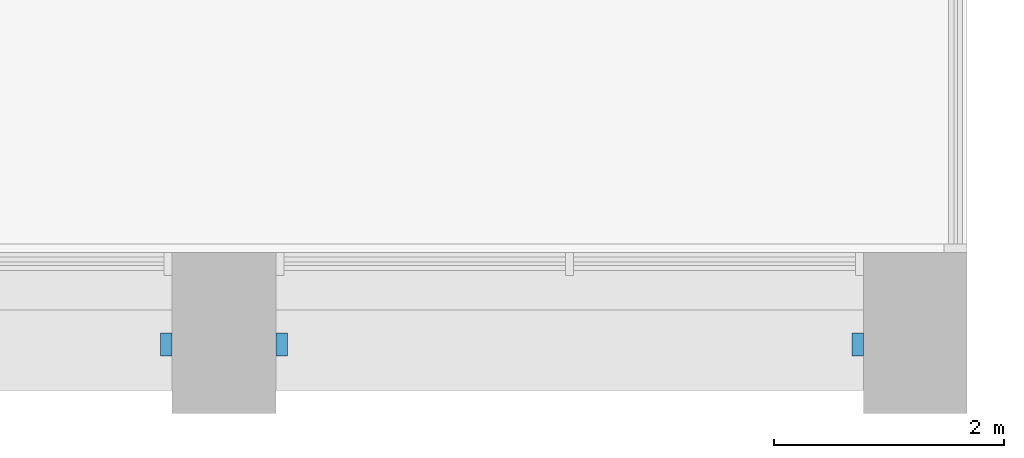
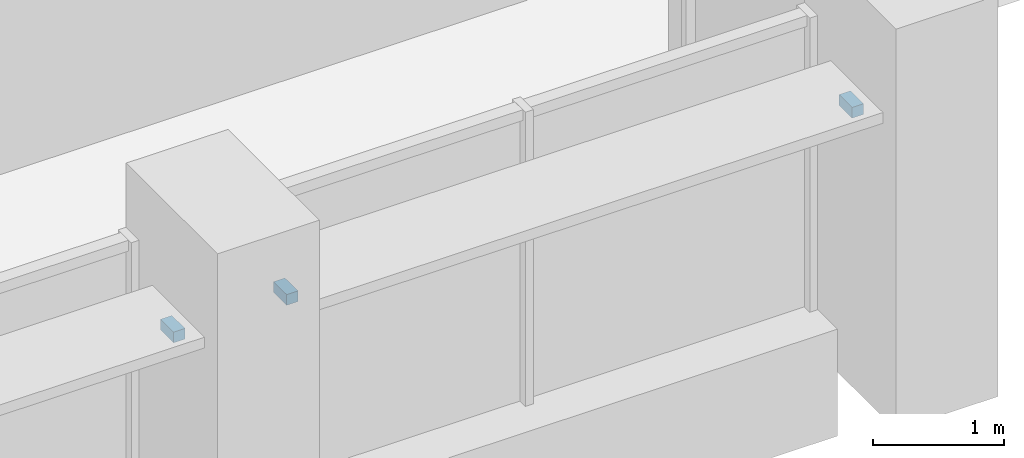
# One storey, part 14 of 15: 3 discrete accessories.
"""IFC4 building model written with IfcOpenShell, lengths in metres."""

from ifc_helpers import new_model, si_unit, direction, frame, origin, origin_2d, place, context, subcontext, project, spatial, rectangle, extrude, element, save


model = new_model("IFC4")

# Units and contexts
model_context = context("Model", 3, precision=1e-05, world=origin(), true_north=direction((0.0, 1.0)))
body_context = subcontext(model_context, "Body", "Model", "MODEL_VIEW")
ifc_project = project(units=[si_unit("LENGTHUNIT", "METRE"), si_unit("AREAUNIT", "SQUARE_METRE"), si_unit("VOLUMEUNIT", "CUBIC_METRE"), si_unit("PLANEANGLEUNIT", "RADIAN"), si_unit("MASSUNIT", "GRAM", prefix="KILO")], contexts=[model_context])

# Site, building, storey
site_placement = place(None, origin())
site = spatial("IfcSite", under=ifc_project, at=site_placement, CompositionType="ELEMENT")
building_placement = place(site_placement, origin())
building = spatial("IfcBuilding", under=site, at=building_placement, Name="Calvaro Tower", CompositionType="ELEMENT")
storey_placement = place(building_placement, frame((0.0, 0.0, 132.5)))
storey = spatial("IfcBuildingStorey", under=building, at=storey_placement, Name="L33", CompositionType="ELEMENT", Elevation=132.5)

# Discrete accessories
for number, where, z_axis, x_axis, name in (
    (1, (59.5, 2.10009765625, 2.25), (0.0, 0.0, 1.0), (1.0, 0.0, 0.0), "Brise-soleil bracket"),
    (2, (60.5, 2.10009765625, 2.25), (0.0, 0.0, 1.0), (1.0, 0.0, 0.0), "Brise-soleil bracket"),
    (3, (65.5, 2.10009765625, 2.25), (0.0, 0.0, 1.0), (1.0, 0.0, 0.0), "Brise-soleil bracket"),
):
    element("IfcDiscreteAccessory", number, at=place(storey_placement, frame(where, z_axis=z_axis, x_axis=x_axis)), inside=storey, Name=name, PredefinedType="BRACKET", context=body_context, shape_type="SweptSolid", body=[
        extrude(rectangle(XDim=0.10009765625, YDim=0.199951171875, at=origin_2d()), origin(), (0.0, 0.0, 1.0), 0.10009765625),
    ])

save(model, "model.ifc")
